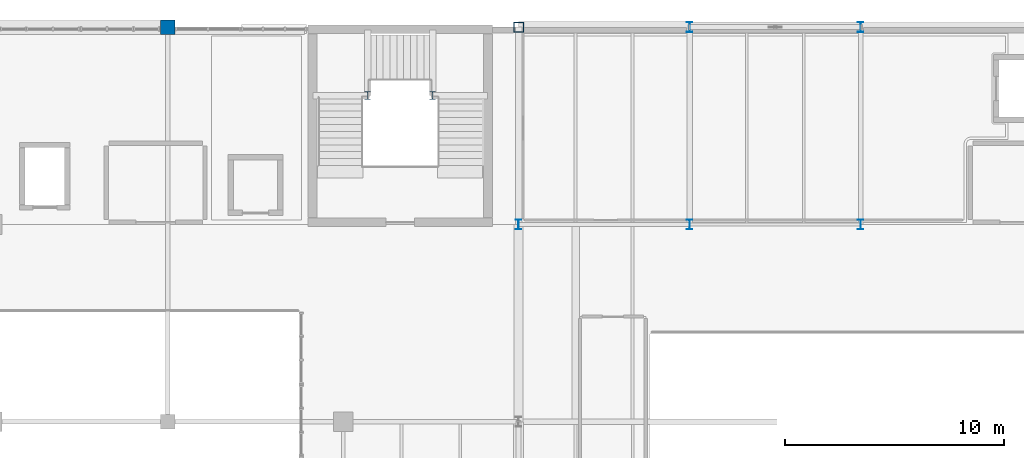
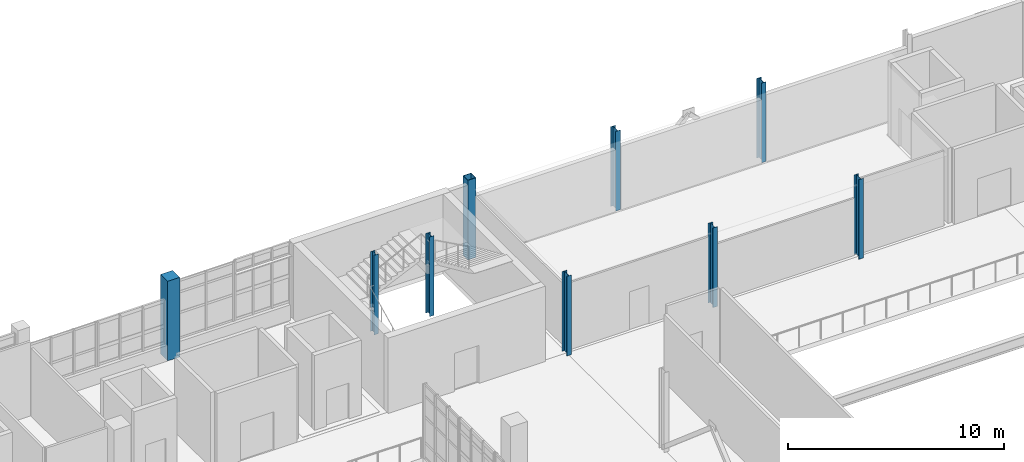
# One storey, part 8 of 85: 9 columns.
"""IFC4 building model written with IfcOpenShell, lengths in metres."""

from ifc_helpers import new_model, si_unit, derived_unit, direction, frame, origin, origin_2d, place, context, subcontext, project, spatial, rectangle, hollow_rectangle, i_section, extrude, material, material_profile, profile_set, type_object, element, save


model = new_model("IFC4")

# Units and contexts
model_context = context("Model", 3, precision=1e-05, world=origin(), true_north=direction((0.0, 1.0)))
body_context = subcontext(model_context, "Body", "Model", "MODEL_VIEW")
ifc_project = project(units=[si_unit("LENGTHUNIT", "METRE"), si_unit("AREAUNIT", "SQUARE_METRE"), si_unit("VOLUMEUNIT", "CUBIC_METRE"), si_unit("PLANEANGLEUNIT", "RADIAN"), si_unit("MASSUNIT", "GRAM", prefix="KILO"), derived_unit("THERMALTRANSMITTANCEUNIT", [(si_unit("POWERUNIT", "WATT"), 1), (si_unit("LENGTHUNIT", "METRE"), -2), (si_unit("THERMODYNAMICTEMPERATUREUNIT", "KELVIN"), -1)])], contexts=[model_context])

# Site, building, storey
site_placement = place(None, origin())
site = spatial("IfcSite", under=ifc_project, at=site_placement, CompositionType="ELEMENT")
building_placement = place(site_placement, origin())
building = spatial("IfcBuilding", under=site, at=building_placement, Name="Nallur Shell Playhouse", CompositionType="ELEMENT")
storey_placement = place(building_placement, frame((0.0, 0.0, 19.800048828125)))
storey = spatial("IfcBuildingStorey", under=building, at=storey_placement, Name="L05", CompositionType="ELEMENT", Elevation=19.800048828125)

# Columns
ifc_material_1 = material(Name="Concrete M35", Category="concrete")
ifc_material_profile_1 = material_profile(ifc_material_1, rectangle(XDim=0.64990234375, YDim=0.64990234375, at=origin_2d()), Name="RC 650x650")
ifc_profile_set_1 = profile_set([ifc_material_profile_1], Name="Concrete M35")
column_type_1 = type_object("IfcColumnType", Name="CL-RC-650", PredefinedType="COLUMN", material=ifc_profile_set_1)
column_1_placement = place(storey_placement, frame((48.0, 83.0, 0.0), z_axis=(0.0, 0.0, 1.0), x_axis=(1.0, 0.0, 0.0)))
element("IfcColumn", 1, at=column_1_placement, inside=storey, type_object=column_type_1, Name="Column 6-K (L05)", PredefinedType="COLUMN", context=body_context, shape_type="SweptSolid", body=[
    extrude(rectangle(XDim=0.64990234375, YDim=0.64990234375, at=origin_2d()), origin(), (0.0, 0.0, 1.0), 4.5),
])
ifc_material_2 = material(Name="Steel E350", Category="steel")
ifc_material_profile_2 = material_profile(ifc_material_2, hollow_rectangle(XDim=0.449951171875, YDim=0.449951171875, WallThickness=0.02001953125, at=origin_2d()), Name="BOX 450x450x20")
ifc_profile_set_2 = profile_set([ifc_material_profile_2], Name="Steel E350")
column_type_2 = type_object("IfcColumnType", Name="CL-ST-BOX450", PredefinedType="COLUMN", material=ifc_profile_set_2)
column_2_placement = place(storey_placement, frame((64.0, 83.0, 0.0), z_axis=(0.0, 0.0, 1.0), x_axis=(1.0, 0.0, 0.0)))
element("IfcColumn", 2, at=column_2_placement, inside=storey, type_object=column_type_2, Name="Column 8-K (L05)", PredefinedType="COLUMN", context=body_context, shape_type="SweptSolid", body=[
    extrude(hollow_rectangle(XDim=0.449951171875, YDim=0.449951171875, WallThickness=0.02001953125, at=origin_2d()), origin(), (0.0, 0.0, 1.0), 4.5),
])
ifc_material_profile_3 = material_profile(ifc_material_2, i_section(OverallWidth=0.25, OverallDepth=0.35009765625, WebThickness=0.010009765625, FlangeThickness=0.01171875, FilletRadius=0.011962890625, at=origin_2d()), Name="ISHB 350")
ifc_profile_set_3 = profile_set([ifc_material_profile_3], Name="Steel E350")
column_type_3 = type_object("IfcColumnType", Name="CL-ST-ISHB350", PredefinedType="COLUMN", material=ifc_profile_set_3)
for number, where, z_axis, x_axis, name in (
    (3, (57.1201171875, 79.8798828125, 0.0), (0.0, 0.0, 1.0), (1.0, 0.0, 0.0), "Column STW-JC-3-W (L05)"),
    (4, (60.080078125, 79.8798828125, 0.0), (0.0, 0.0, 1.0), (1.0, 0.0, 0.0), "Column STW-JC-3-E (L05)"),
):
    element("IfcColumn", number, at=place(storey_placement, frame(where, z_axis=z_axis, x_axis=x_axis)), inside=storey, type_object=column_type_3, Name=name, PredefinedType="COLUMN", context=body_context, shape_type="SweptSolid", body=[
        extrude(i_section(OverallWidth=0.25, OverallDepth=0.35009765625, WebThickness=0.010009765625, FlangeThickness=0.01171875, FilletRadius=0.011962890625, at=origin_2d()), origin(), (0.0, 0.0, 1.0), 4.5),
    ])
ifc_material_profile_4 = material_profile(ifc_material_2, i_section(OverallWidth=0.25, OverallDepth=0.449951171875, WebThickness=0.01123046875, FlangeThickness=0.013671875, FilletRadius=0.014892578125, at=origin_2d()), Name="ISHB 450")
ifc_profile_set_4 = profile_set([ifc_material_profile_4], Name="Steel E350")
column_type_4 = type_object("IfcColumnType", Name="CL-ST-ISHB450", PredefinedType="COLUMN", material=ifc_profile_set_4)
for number, where, z_axis, x_axis, name in (
    (5, (64.0, 74.0, 0.0), (0.0, 0.0, 1.0), (1.0, 0.0, 0.0), "Column 8-J (L05)"),
    (6, (71.800048828125, 74.0, 0.0), (0.0, 0.0, 1.0), (1.0, 0.0, 0.0), "Column 9-J (L05)"),
    (7, (71.800048828125, 83.0, 0.0), (0.0, 0.0, 1.0), (1.0, 0.0, 0.0), "Column 9-K (L05)"),
    (8, (79.60009765625, 74.0, 0.0), (0.0, 0.0, 1.0), (1.0, 0.0, 0.0), "Column 10-J (L05)"),
    (9, (79.60009765625, 83.0, 0.0), (0.0, 0.0, 1.0), (1.0, 0.0, 0.0), "Column 10-K (L05)"),
):
    element("IfcColumn", number, at=place(storey_placement, frame(where, z_axis=z_axis, x_axis=x_axis)), inside=storey, type_object=column_type_4, Name=name, PredefinedType="COLUMN", context=body_context, shape_type="SweptSolid", body=[
        extrude(i_section(OverallWidth=0.25, OverallDepth=0.449951171875, WebThickness=0.01123046875, FlangeThickness=0.013671875, FilletRadius=0.014892578125, at=origin_2d()), origin(), (0.0, 0.0, 1.0), 4.5),
    ])

save(model, "model.ifc")
